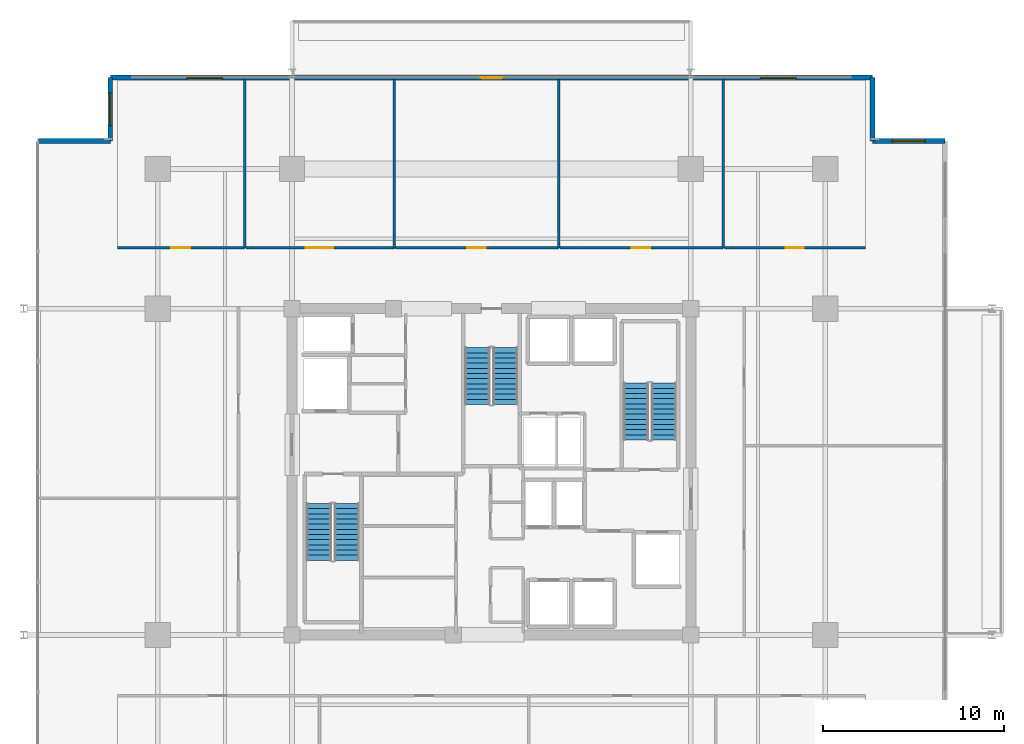
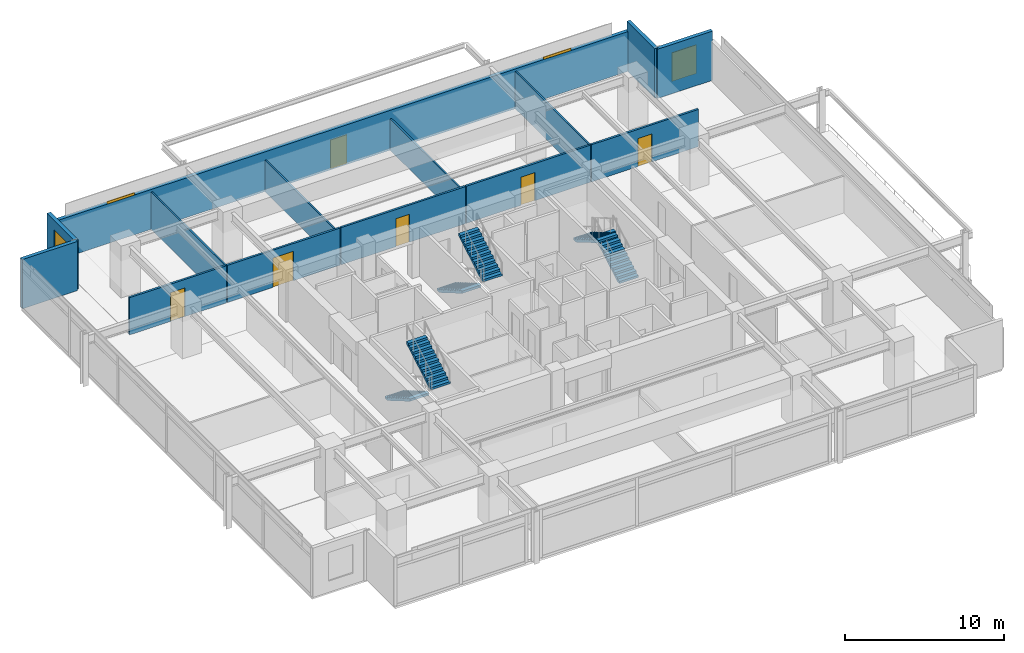
# One storey, part 17 of 21: 14 walls, 6 doors, 6 stair flights, 4 windows, 10 openings, 3 elements without a shape of their own.
"""IFC4 building model written with IfcOpenShell, lengths in metres."""

import ifcopenshell
import ifcopenshell.guid

model = None  # the IFC model being written
_history = None  # IfcOwnerHistory: only IFC2X3 demands one
_inside = {}  # id of a spatial element -> (the spatial element, [elements in it])
_under = {}  # id of a project, library or spatial element -> (it, [spatial elements below it])
_declared = {}  # id of a project -> (the project, [libraries it declares])
_typed = {}  # id of a type object -> (the type object, [elements of that type])
_made_of = {}  # id of a material, layer set ... -> (it, [elements and type objects made of it])


def new_model(schema):
    """Start an empty IFC model of exactly this schema.

    Asked for "IFC4X3", IfcOpenShell would pick the latest addendum, in which some entities
    have other attributes; the version numbers below select the first issue.
    IFC2X3 requires an IfcOwnerHistory on every rooted entity: one is made here for all.
    """
    global model, _history
    if schema == "IFC4X3":
        model = ifcopenshell.file(schema_version=(4, 3, 0, 0))
    else:
        model = ifcopenshell.file(schema=schema)
    _inside.clear()
    _under.clear()
    _declared.clear()
    _typed.clear()
    _made_of.clear()
    _history = None
    if model.schema == "IFC2X3":
        org = make("IfcOrganization", Name="unknown")
        user = make(
            "IfcPersonAndOrganization",
            ThePerson=make("IfcPerson", FamilyName="unknown"),
            TheOrganization=org,
        )
        app = make(
            "IfcApplication",
            ApplicationDeveloper=org,
            Version="unknown",
            ApplicationFullName="unknown",
            ApplicationIdentifier="unknown",
        )
        _history = make(
            "IfcOwnerHistory",
            OwningUser=user,
            OwningApplication=app,
            ChangeAction="ADDED",
            CreationDate=0,
        )
    return model


def make(cls, **values):
    """One entity of the class cls with the attributes given. An attribute that is None is left unset."""
    return model.create_entity(
        cls, **{name: value for name, value in values.items() if value is not None}
    )


def rooted(cls, **values):
    """An entity with a GlobalId (a new one), such as an element, a storey or a relation."""
    return make(cls, GlobalId=ifcopenshell.guid.new(), OwnerHistory=_history, **values)


def si_unit(unit_type, name, prefix=None):
    """IfcSIUnit, for example si_unit("LENGTHUNIT", "METRE", prefix="MILLI")."""
    return make("IfcSIUnit", UnitType=unit_type, Prefix=prefix, Name=name)


def assignment(units):
    """IfcUnitAssignment: the units of a project."""
    return None if units is None else make("IfcUnitAssignment", Units=units)


def point(xyz):
    """IfcCartesianPoint."""
    return None if xyz is None else make("IfcCartesianPoint", Coordinates=xyz)


def direction(xyz):
    """IfcDirection."""
    return None if xyz is None else make("IfcDirection", DirectionRatios=xyz)


def frame(location, z_axis=None, x_axis=None):
    """IfcAxis2Placement3D, a coordinate frame: its origin and axes. An axis left out is left unset."""
    return make(
        "IfcAxis2Placement3D",
        Location=point(location),
        Axis=direction(z_axis),
        RefDirection=direction(x_axis),
    )


def frame_2d(location, x_axis=None):
    """IfcAxis2Placement2D, a coordinate frame in the plane: its origin and x axis."""
    return make(
        "IfcAxis2Placement2D", Location=point(location), RefDirection=direction(x_axis)
    )


def origin():
    """The frame at (0, 0, 0) with its axes left unset."""
    return frame((0.0, 0.0, 0.0))


def place(relative_to, where):
    """IfcLocalPlacement: puts the frame where relative to a parent placement (None: the world)."""
    return make(
        "IfcLocalPlacement", PlacementRelTo=relative_to, RelativePlacement=where
    )


def context(
    kind, dimensions, precision=None, world=None, true_north=None, identifier=None
):
    """IfcGeometricRepresentationContext, for example the 3D "Model" context."""
    return make(
        "IfcGeometricRepresentationContext",
        ContextIdentifier=identifier,
        ContextType=kind,
        CoordinateSpaceDimension=dimensions,
        Precision=precision,
        WorldCoordinateSystem=world,
        TrueNorth=true_north,
    )


def subcontext(parent, identifier, kind, view, scale=None):
    """IfcGeometricRepresentationSubContext, for example "Body" below "Model"."""
    return make(
        "IfcGeometricRepresentationSubContext",
        ContextIdentifier=identifier,
        ContextType=kind,
        ParentContext=parent,
        TargetScale=scale,
        TargetView=view,
    )


def project(units=None, contexts=None):
    """IfcProject with its units and contexts."""
    return rooted(
        "IfcProject",
        Name="project",
        RepresentationContexts=contexts,
        UnitsInContext=assignment(units),
    )


def spatial(cls, under=None, at=None, **own):
    """A site, building, storey or space (cls), placed at a placement, below another one or the project."""
    s = rooted(cls, ObjectPlacement=at, **own)
    if under is not None:
        _under.setdefault(under.id(), (under, []))[1].append(s)
    return s


def polyline(points):
    """IfcPolyline through the points."""
    return make("IfcPolyline", Points=[point(p) for p in points])


def profile(cls, at=None, kind="AREA", **sizes):
    """A parametric profile (cls). Its sizes go by their IFC names, for example OverallWidth=200.0."""
    return make(cls, ProfileType=kind, Position=at, **sizes)


def rectangle(**sizes):
    """IfcRectangleProfileDef."""
    return profile("IfcRectangleProfileDef", **sizes)


def outline(outer, holes=None, kind="AREA"):
    """IfcArbitraryClosedProfileDef: a profile drawn as a closed curve; with holes, ...WithVoids."""
    if holes is None:
        return make("IfcArbitraryClosedProfileDef", ProfileType=kind, OuterCurve=outer)
    return make(
        "IfcArbitraryProfileDefWithVoids",
        ProfileType=kind,
        OuterCurve=outer,
        InnerCurves=holes,
    )


def extrude(swept, where, along, depth):
    """IfcExtrudedAreaSolid: the profile swept, set in the frame where, extruded along a direction by depth."""
    return make(
        "IfcExtrudedAreaSolid",
        SweptArea=swept,
        Position=where,
        ExtrudedDirection=direction(along),
        Depth=depth,
    )


def shape(context_of_items, identifier, shape_type, items):
    """IfcShapeRepresentation: the items that make up one representation, for example the "Body"."""
    return make(
        "IfcShapeRepresentation",
        ContextOfItems=context_of_items,
        RepresentationIdentifier=identifier,
        RepresentationType=shape_type,
        Items=items,
    )


def material(Name=None, Category=None):
    """IfcMaterial."""
    return make("IfcMaterial", Name=Name, Category=Category)


def layer(
    of_material, thickness, ventilated=None, Name=None, Category=None, Priority=None
):
    """IfcMaterialLayer: one layer of a wall or slab, of a material (None: an air gap)."""
    return make(
        "IfcMaterialLayer",
        Material=of_material,
        LayerThickness=thickness,
        IsVentilated=ventilated,
        Name=Name,
        Category=Category,
        Priority=Priority,
    )


def layer_set(layers, Name=None):
    """IfcMaterialLayerSet."""
    return make("IfcMaterialLayerSet", MaterialLayers=layers, LayerSetName=Name)


def made_of(thing, what):
    """Note that an element or type object is made of a material, layer set ...; save() writes the relation."""
    if what is not None:
        _made_of.setdefault(what.id(), (what, []))[1].append(thing)
    return thing


def type_object(cls, material=None, **own):
    """A type object (cls), such as IfcWallType, which elements share."""
    return made_of(rooted(cls, **own), material)


def element(
    cls,
    number,
    at=None,
    inside=None,
    cuts=None,
    type_object=None,
    material=None,
    context=None,
    identifier="Body",
    shape_type=None,
    held_by="IfcProductDefinitionShape",
    body=None,
    shapes=None,
    **own,
):
    """One element of the class cls, such as IfcWall. Its Tag is "e" and its number.

    at: its placement. inside: the storey or other place that contains it. cuts: it is an
    opening in that element (IfcRelVoidsElement). A single representation is given by context,
    identifier, shape_type and body (its items); several are given by shapes. held_by: the class
    of the entity that holds the representations. save() writes the other relations.
    """
    e = rooted(cls, Tag="e%d" % number, ObjectPlacement=at, **own)
    if body is not None:
        shapes = [shape(context, identifier, shape_type, body)]
    if shapes is not None:
        e.Representation = make(held_by, Representations=shapes)
    if inside is not None:
        _inside.setdefault(inside.id(), (inside, []))[1].append(e)
    if cuts is not None:
        rooted(
            "IfcRelVoidsElement", RelatingBuildingElement=cuts, RelatedOpeningElement=e
        )
    if type_object is not None:
        _typed.setdefault(type_object.id(), (type_object, []))[1].append(e)
    return made_of(e, material)


def fill(opening, filler):
    """IfcRelFillsElement: the door or window that sits in an opening."""
    return rooted(
        "IfcRelFillsElement",
        RelatingOpeningElement=opening,
        RelatedBuildingElement=filler,
    )


def aggregate(whole, parts):
    """IfcRelAggregates: a whole, such as a stair, and the parts it consists of."""
    return rooted("IfcRelAggregates", RelatingObject=whole, RelatedObjects=parts)


def save(model, path):
    """Write the relations noted so far, then the file.

    IfcRelAggregates (storeys below a building ...), IfcRelContainedInSpatialStructure (elements
    in a storey), IfcRelDefinesByType, IfcRelAssociatesMaterial and IfcRelDeclares: one each for
    every whole, place, type object, material and project.
    """
    for whole, parts in _under.values():
        aggregate(whole, parts)
    for where, things in _inside.values():
        rooted(
            "IfcRelContainedInSpatialStructure",
            RelatedElements=things,
            RelatingStructure=where,
        )
    for kind, things in _typed.values():
        rooted("IfcRelDefinesByType", RelatedObjects=things, RelatingType=kind)
    for what, things in _made_of.values():
        rooted("IfcRelAssociatesMaterial", RelatedObjects=things, RelatingMaterial=what)
    for by, libraries in _declared.values():
        rooted("IfcRelDeclares", RelatingContext=by, RelatedDefinitions=libraries)
    model.write(path)


model = new_model("IFC4")

# Units and contexts
model_context = context("Model", 3, precision=1e-05, world=origin(), true_north=direction((0.0, 1.0)))
body_context = subcontext(model_context, "Body", "Model", "MODEL_VIEW")
ifc_project = project(units=[si_unit("LENGTHUNIT", "METRE"), si_unit("AREAUNIT", "SQUARE_METRE"), si_unit("VOLUMEUNIT", "CUBIC_METRE"), si_unit("PLANEANGLEUNIT", "RADIAN"), si_unit("MASSUNIT", "GRAM", prefix="KILO")], contexts=[model_context])

# Site, building, storey
site_placement = place(None, origin())
site = spatial("IfcSite", under=ifc_project, at=site_placement, CompositionType="ELEMENT")
building_placement = place(site_placement, origin())
building = spatial("IfcBuilding", under=site, at=building_placement, Name="Kovane Verandah Tower", CompositionType="ELEMENT")
storey_placement = place(building_placement, frame((0.0, 0.0, 209.199951171875)))
storey = spatial("IfcBuildingStorey", under=building, at=storey_placement, Name="L48", CompositionType="ELEMENT", Elevation=209.199951171875)

# Wall, opening, door
ifc_material_1 = material(Name="Fire-Rated Gypsum Stud Partition", Category="gypsum")
ifc_layer_1 = layer(ifc_material_1, 0.14990234375)
ifc_layer_set_1 = layer_set([ifc_layer_1], Name="Fire-Rated Gypsum Stud Partition")
wall_type_1 = type_object("IfcWallType", Name="WL-COR-150", PredefinedType="PARTITIONING", material=ifc_layer_set_1)
wall_1_placement = place(storey_placement, frame((19.382080078125, 39.85009765625, 0.0), z_axis=(0.0, 0.0, 1.0), x_axis=(1.0, 0.0, 0.0)))
wall_1 = element("IfcWall", 1, at=wall_1_placement, inside=storey, type_object=wall_type_1, Name="L48 Executive Office N1 Corridor Partition", PredefinedType="PARTITIONING", context=body_context, shape_type="SweptSolid", body=[
    extrude(rectangle(XDim=7.010009765625, YDim=0.14990234375, at=frame_2d((3.5048828125, 0.0))), origin(), (0.0, 0.0, 1.0), 2.85009765625),
])
opening_1_placement = place(wall_1_placement, frame((2.945068359375, 0.0, 0.0)))
opening_1 = element("IfcOpeningElement", 2, at=opening_1_placement, cuts=wall_1, Name="Opening DR-L48-020", PredefinedType="OPENING", context=body_context, shape_type="SweptSolid", body=[
    extrude(rectangle(XDim=1.050048828125, YDim=2.199951171875, at=frame_2d((0.52490234375, 1.10009765625))), frame((0.0, 0.074951171875, 0.0), z_axis=(0.0, -1.0, 0.0), x_axis=(1.0, 0.0, 0.0)), (0.0, 0.0, 1.0), 0.14990234375),
])
ifc_material_2 = material(Name="FSC Blackbutt Timber Fire-Rated Executive Door", Category="wood")
door_type_1 = type_object("IfcDoorType", Name="DR-EXEC-1050", OperationType="SINGLE_SWING_LEFT", PredefinedType="DOOR", material=ifc_material_2)
door_1_placement = place(opening_1_placement, origin())
door_1 = element("IfcDoor", 3, at=door_1_placement, inside=storey, type_object=door_type_1, Name="L48 Executive Office N1 Entrance Door", OperationType="SINGLE_SWING_RIGHT", OverallHeight=2.199951171875, OverallWidth=1.050048828125, PredefinedType="DOOR", context=body_context, shape_type="SweptSolid", body=[
    extrude(rectangle(XDim=1.050048828125, YDim=2.199951171875, at=frame_2d((0.52490234375, 1.10009765625))), frame((0.0, 0.02490234375, 0.0), z_axis=(0.0, -1.0, 0.0), x_axis=(1.0, 0.0, 0.0)), (0.0, 0.0, 1.0), 0.050048828125),
])
fill(opening_1, door_1)

wall_2_placement = place(storey_placement, frame((26.462158203125, 39.85009765625, 0.0), z_axis=(0.0, 0.0, 1.0), x_axis=(1.0, 0.0, 0.0)))
wall_2 = element("IfcWall", 4, at=wall_2_placement, inside=storey, type_object=wall_type_1, Name="L48 Client Boardroom N2 Corridor Partition", PredefinedType="PARTITIONING", context=body_context, shape_type="SweptSolid", body=[
    extrude(rectangle(XDim=8.17724609375, YDim=0.14990234375, at=frame_2d((4.088623046875, 0.0))), origin(), (0.0, 0.0, 1.0), 2.85009765625),
])
opening_2_placement = place(wall_2_placement, frame((3.303466796875, 0.0, 0.0)))
opening_2 = element("IfcOpeningElement", 5, at=opening_2_placement, cuts=wall_2, Name="Opening DR-L48-021", PredefinedType="OPENING", context=body_context, shape_type="SweptSolid", body=[
    extrude(rectangle(XDim=1.5, YDim=2.25, at=frame_2d((0.75, 1.125))), frame((0.0, 0.074951171875, 0.0), z_axis=(0.0, -1.0, 0.0), x_axis=(1.0, 0.0, 0.0)), (0.0, 0.0, 1.0), 0.14990234375),
])
ifc_material_3 = material(Name="Glazed Timber Fire-Rated Double Door", Category="wood")
door_type_2 = type_object("IfcDoorType", Name="DR-CONF-1500", OperationType="DOUBLE_DOOR_SINGLE_SWING", PredefinedType="DOOR", material=ifc_material_3)
door_2_placement = place(opening_2_placement, origin())
door_2 = element("IfcDoor", 6, at=door_2_placement, inside=storey, type_object=door_type_2, Name="L48 Client Boardroom N2 Entrance Door", OperationType="DOUBLE_DOOR_SINGLE_SWING", OverallHeight=2.25, OverallWidth=1.5, PredefinedType="DOOR", context=body_context, shape_type="SweptSolid", body=[
    extrude(rectangle(XDim=1.5, YDim=2.25, at=frame_2d((0.75, 1.125))), frame((0.0, 0.02490234375, 0.0), z_axis=(0.0, -1.0, 0.0), x_axis=(1.0, 0.0, 0.0)), (0.0, 0.0, 1.0), 0.050048828125),
])
fill(opening_2, door_2)

wall_3_placement = place(storey_placement, frame((34.709228515625, 39.85009765625, 0.0), z_axis=(0.0, 0.0, 1.0), x_axis=(1.0, 0.0, 0.0)))
wall_3 = element("IfcWall", 7, at=wall_3_placement, inside=storey, type_object=wall_type_1, Name="L48 Meeting Room N3 Corridor Partition", PredefinedType="PARTITIONING", context=body_context, shape_type="SweptSolid", body=[
    extrude(rectangle(XDim=9.001953125, YDim=0.14990234375, at=frame_2d((4.5009765625, 0.0))), origin(), (0.0, 0.0, 1.0), 2.85009765625),
])
opening_3_placement = place(wall_3_placement, frame((3.9658203125, 0.0, 0.0)))
opening_3 = element("IfcOpeningElement", 8, at=opening_3_placement, cuts=wall_3, Name="Opening DR-L48-022", PredefinedType="OPENING", context=body_context, shape_type="SweptSolid", body=[
    extrude(rectangle(XDim=1.0, YDim=2.14990234375, at=frame_2d((0.5, 1.074951171875))), frame((0.0, 0.074951171875, 0.0), z_axis=(0.0, -1.0, 0.0), x_axis=(1.0, 0.0, 0.0)), (0.0, 0.0, 1.0), 0.14990234375),
])
ifc_material_4 = material(Name="FSC Spotted-Gum Timber Fire-Rated Office Door", Category="wood")
door_type_3 = type_object("IfcDoorType", Name="DR-OFF-1000", OperationType="SINGLE_SWING_LEFT", PredefinedType="DOOR", material=ifc_material_4)
door_3_placement = place(opening_3_placement, origin())
door_3 = element("IfcDoor", 9, at=door_3_placement, inside=storey, type_object=door_type_3, Name="L48 Meeting Room N3 Entrance Door", OperationType="SINGLE_SWING_RIGHT", OverallHeight=2.14990234375, OverallWidth=1.0, PredefinedType="DOOR", context=body_context, shape_type="SweptSolid", body=[
    extrude(rectangle(XDim=1.0, YDim=2.14990234375, at=frame_2d((0.5, 1.074951171875))), frame((0.0, 0.02490234375, 0.0), z_axis=(0.0, -1.0, 0.0), x_axis=(1.0, 0.0, 0.0)), (0.0, 0.0, 1.0), 0.050048828125),
])
fill(opening_3, door_3)

wall_4_placement = place(storey_placement, frame((43.78125, 39.85009765625, 0.0), z_axis=(0.0, 0.0, 1.0), x_axis=(1.0, 0.0, 0.0)))
wall_4 = element("IfcWall", 10, at=wall_4_placement, inside=storey, type_object=wall_type_1, Name="L48 Focus Studio N4 Corridor Partition", PredefinedType="PARTITIONING", context=body_context, shape_type="SweptSolid", body=[
    extrude(rectangle(XDim=9.001953125, YDim=0.14990234375, at=frame_2d((4.5009765625, 0.0))), origin(), (0.0, 0.0, 1.0), 2.85009765625),
])
opening_4_placement = place(wall_4_placement, frame((3.9658203125, 0.0, 0.0)))
opening_4 = element("IfcOpeningElement", 11, at=opening_4_placement, cuts=wall_4, Name="Opening DR-L48-023", PredefinedType="OPENING", context=body_context, shape_type="SweptSolid", body=[
    extrude(rectangle(XDim=1.0, YDim=2.14990234375, at=frame_2d((0.5, 1.074951171875))), frame((0.0, 0.074951171875, 0.0), z_axis=(0.0, -1.0, 0.0), x_axis=(1.0, 0.0, 0.0)), (0.0, 0.0, 1.0), 0.14990234375),
])
door_4_placement = place(opening_4_placement, origin())
door_4 = element("IfcDoor", 12, at=door_4_placement, inside=storey, type_object=door_type_3, Name="L48 Focus Studio N4 Entrance Door", OperationType="SINGLE_SWING_LEFT", OverallHeight=2.14990234375, OverallWidth=1.0, PredefinedType="DOOR", context=body_context, shape_type="SweptSolid", body=[
    extrude(rectangle(XDim=1.0, YDim=2.14990234375, at=frame_2d((0.5, 1.074951171875))), frame((0.0, 0.02490234375, 0.0), z_axis=(0.0, -1.0, 0.0), x_axis=(1.0, 0.0, 0.0)), (0.0, 0.0, 1.0), 0.050048828125),
])
fill(opening_4, door_4)

wall_5_placement = place(storey_placement, frame((52.85302734375, 39.85009765625, 0.0), z_axis=(0.0, 0.0, 1.0), x_axis=(1.0, 0.0, 0.0)))
wall_5 = element("IfcWall", 13, at=wall_5_placement, inside=storey, type_object=wall_type_1, Name="L48 Breakout Pantry N5 Corridor Partition", PredefinedType="PARTITIONING", context=body_context, shape_type="SweptSolid", body=[
    extrude(rectangle(XDim=7.764892578125, YDim=0.14990234375, at=frame_2d((3.88232421875, 0.0))), origin(), (0.0, 0.0, 1.0), 2.85009765625),
])
opening_5_placement = place(wall_5_placement, frame((3.38232421875, 0.0, 0.0)))
opening_5 = element("IfcOpeningElement", 14, at=opening_5_placement, cuts=wall_5, Name="Opening DR-L48-024", PredefinedType="OPENING", context=body_context, shape_type="SweptSolid", body=[
    extrude(rectangle(XDim=1.0, YDim=2.14990234375, at=frame_2d((0.5, 1.074951171875))), frame((0.0, 0.074951171875, 0.0), z_axis=(0.0, -1.0, 0.0), x_axis=(1.0, 0.0, 0.0)), (0.0, 0.0, 1.0), 0.14990234375),
])
door_5_placement = place(opening_5_placement, origin())
door_5 = element("IfcDoor", 15, at=door_5_placement, inside=storey, type_object=door_type_3, Name="L48 Breakout Pantry N5 Entrance Door", OperationType="SINGLE_SWING_RIGHT", OverallHeight=2.14990234375, OverallWidth=1.0, PredefinedType="DOOR", context=body_context, shape_type="SweptSolid", body=[
    extrude(rectangle(XDim=1.0, YDim=2.14990234375, at=frame_2d((0.5, 1.074951171875))), frame((0.0, 0.02490234375, 0.0), z_axis=(0.0, -1.0, 0.0), x_axis=(1.0, 0.0, 0.0)), (0.0, 0.0, 1.0), 0.050048828125),
])
fill(opening_5, door_5)

# Walls
ifc_material_5 = material(Name="Acoustic Fire-Rated Gypsum Partition", Category="gypsum")
ifc_layer_2 = layer(ifc_material_5, 0.1201171875)
ifc_layer_set_2 = layer_set([ifc_layer_2], Name="Acoustic Fire-Rated Gypsum Partition")
wall_type_2 = type_object("IfcWallType", Name="WL-PART-120", PredefinedType="PARTITIONING", material=ifc_layer_set_2)
wall_6_placement = place(storey_placement, frame((26.39208984375, 39.85009765625, 0.0), z_axis=(0.0, 0.0, 1.0), x_axis=(0.0, 1.0, 0.0)))
element("IfcWall", 16, at=wall_6_placement, inside=storey, type_object=wall_type_2, Name="L48 Executive Office N1 Dividing Partition", PredefinedType="PARTITIONING", context=body_context, shape_type="SweptSolid", body=[
    extrude(rectangle(XDim=9.29150390625, YDim=0.1201171875, at=frame_2d((4.645751953125, 0.0))), origin(), (0.0, 0.0, 1.0), 2.85009765625),
])
for number, where, z_axis, x_axis, name in (
    (17, (34.639404296875, 39.85009765625, 0.0), (0.0, 0.0, 1.0), (0.0, 1.0, 0.0), "L48 Client Boardroom N2 Dividing Partition"),
    (18, (43.711181640625, 39.85009765625, 0.0), (0.0, 0.0, 1.0), (0.0, 1.0, 0.0), "L48 Meeting Room N3 Dividing Partition"),
):
    element("IfcWall", number, at=place(storey_placement, frame(where, z_axis=z_axis, x_axis=x_axis)), inside=storey, type_object=wall_type_2, Name=name, PredefinedType="PARTITIONING", context=body_context, shape_type="SweptSolid", body=[
        extrude(rectangle(XDim=9.29150390625, YDim=0.1201171875, at=frame_2d((4.645751953125, 0.0))), origin(), (0.0, 0.0, 1.0), 2.405029296875),
    ])
wall_7_placement = place(storey_placement, frame((52.783203125, 39.85009765625, 0.0), z_axis=(0.0, 0.0, 1.0), x_axis=(0.0, 1.0, 0.0)))
element("IfcWall", 19, at=wall_7_placement, inside=storey, type_object=wall_type_2, Name="L48 Focus Studio N4 Dividing Partition", PredefinedType="PARTITIONING", context=body_context, shape_type="SweptSolid", body=[
    extrude(rectangle(XDim=9.29150390625, YDim=0.1201171875, at=frame_2d((4.645751953125, 0.0))), origin(), (0.0, 0.0, 1.0), 2.85009765625),
])

# Wall, openings, door, windows
ifc_material_6 = material(Name="Concrete C45/55 Insulated Spandrel Wall", Category="concrete")
ifc_layer_3 = layer(ifc_material_6, 0.260009765625)
ifc_layer_set_3 = layer_set([ifc_layer_3], Name="Concrete C45/55 Insulated Spandrel Wall")
wall_type_3 = type_object("IfcWallType", Name="WL-SPANDREL-260", PredefinedType="PARAPET", material=ifc_layer_set_3)
wall_8_placement = place(storey_placement, frame((61.017822265625, 49.24169921875, 0.0), z_axis=(0.0, 0.0, 1.0), x_axis=(-1.0, 0.0, 0.0)))
wall_8 = element("IfcWall", 20, at=wall_8_placement, inside=storey, type_object=wall_type_3, Name="L48 N Verandah Access Facade Wall", PredefinedType="PARAPET", context=body_context, shape_type="SweptSolid", body=[
    extrude(rectangle(XDim=42.03564453125, YDim=0.260009765625, at=frame_2d((21.017822265625, 0.0))), origin(), (0.0, 0.0, 1.0), 3.047119140625),
])
opening_6_placement = place(wall_8_placement, frame((4.199951171875, 0.0, 0.85009765625)))
opening_6 = element("IfcOpeningElement", 21, at=opening_6_placement, cuts=wall_8, Name="Opening W-04", PredefinedType="OPENING", context=body_context, shape_type="SweptSolid", body=[
    extrude(rectangle(XDim=2.0, YDim=2.300048828125, at=frame_2d((1.0, 1.14990234375))), frame((0.0, 0.1298828125, 0.0), z_axis=(0.0, -1.0, 0.0), x_axis=(1.0, 0.0, 0.0)), (0.0, 0.0, 1.0), 0.260009765625),
])
opening_7_placement = place(wall_8_placement, frame((20.41796875, 0.0, 0.0)))
opening_7 = element("IfcOpeningElement", 22, at=opening_7_placement, cuts=wall_8, Name="Opening DR-L48-002", PredefinedType="OPENING", context=body_context, shape_type="SweptSolid", body=[
    extrude(rectangle(XDim=1.199951171875, YDim=2.199951171875, at=frame_2d((0.60009765625, 1.10009765625))), frame((0.0, 0.1298828125, 0.0), z_axis=(0.0, -1.0, 0.0), x_axis=(1.0, 0.0, 0.0)), (0.0, 0.0, 1.0), 0.260009765625),
])
opening_8_placement = place(wall_8_placement, frame((35.835693359375, 0.0, 0.85009765625)))
opening_8 = element("IfcOpeningElement", 23, at=opening_8_placement, cuts=wall_8, Name="Opening W-04", PredefinedType="OPENING", context=body_context, shape_type="SweptSolid", body=[
    extrude(rectangle(XDim=2.0, YDim=2.300048828125, at=frame_2d((1.0, 1.14990234375))), frame((0.0, 0.1298828125, 0.0), z_axis=(0.0, -1.0, 0.0), x_axis=(1.0, 0.0, 0.0)), (0.0, 0.0, 1.0), 0.260009765625),
])
ifc_material_7 = material(Name="Cyclone-Rated Glazed Balcony Leaf Door", Category="aluminium")
door_type_4 = type_object("IfcDoorType", Name="DR-BAL-1200x2200", OperationType="SINGLE_SWING_LEFT", PredefinedType="DOOR", material=ifc_material_7)
door_6_placement = place(opening_7_placement, origin())
door_6 = element("IfcDoor", 24, at=door_6_placement, inside=storey, type_object=door_type_4, Name="L48 N Planted Balcony Access Door", OperationType="SINGLE_SWING_LEFT", OverallHeight=2.199951171875, OverallWidth=1.199951171875, PredefinedType="DOOR", context=body_context, shape_type="SweptSolid", body=[
    extrude(rectangle(XDim=1.199951171875, YDim=2.199951171875, at=frame_2d((0.60009765625, 1.10009765625))), frame((0.0, 0.02490234375, 0.0), z_axis=(0.0, -1.0, 0.0), x_axis=(1.0, 0.0, 0.0)), (0.0, 0.0, 1.0), 0.050048828125),
])
fill(opening_7, door_6)
ifc_material_8 = material(Name="Clear Low-E Laminated Double Glazing in Anodised Frame", Category="glass")
window_type_1 = type_object("IfcWindowType", Name="WN-FIXED-2000x2300", PartitioningType="SINGLE_PANEL", PredefinedType="WINDOW", material=ifc_material_8)
window_1_placement = place(opening_6_placement, origin())
window_1 = element("IfcWindow", 25, at=window_1_placement, inside=storey, type_object=window_type_1, Name="L48 N Verandah View Window 1", OverallHeight=2.300048828125, OverallWidth=2.0, PartitioningType="SINGLE_PANEL", PredefinedType="WINDOW", context=body_context, shape_type="SweptSolid", body=[
    extrude(rectangle(XDim=2.0, YDim=2.300048828125, at=frame_2d((1.0, 1.14990234375))), frame((0.0, 0.030029296875, 0.0), z_axis=(0.0, -1.0, 0.0), x_axis=(1.0, 0.0, 0.0)), (0.0, 0.0, 1.0), 0.06005859375),
])
fill(opening_6, window_1)
window_2_placement = place(opening_8_placement, origin())
window_2 = element("IfcWindow", 26, at=window_2_placement, inside=storey, type_object=window_type_1, Name="L48 N Verandah View Window 2", OverallHeight=2.300048828125, OverallWidth=2.0, PartitioningType="SINGLE_PANEL", PredefinedType="WINDOW", context=body_context, shape_type="SweptSolid", body=[
    extrude(rectangle(XDim=2.0, YDim=2.300048828125, at=frame_2d((1.0, 1.14990234375))), frame((0.0, 0.030029296875, 0.0), z_axis=(0.0, -1.0, 0.0), x_axis=(1.0, 0.0, 0.0)), (0.0, 0.0, 1.0), 0.06005859375),
])
fill(opening_8, window_2)

# Wall, opening, window
wall_9_placement = place(storey_placement, frame((65.017822265625, 45.74169921875, 0.0), z_axis=(0.0, 0.0, 1.0), x_axis=(-1.0, 0.0, 0.0)))
wall_9 = element("IfcWall", 27, at=wall_9_placement, inside=storey, type_object=wall_type_3, Name="L48 NE Notch Cheek Wall 1", PredefinedType="PARAPET", context=body_context, shape_type="SweptSolid", body=[
    extrude(rectangle(XDim=4.0, YDim=0.260009765625, at=frame_2d((2.0, 0.0))), origin(), (0.0, 0.0, 1.0), 3.775146484375),
])
opening_9_placement = place(wall_9_placement, frame((1.10009765625, 0.0, 0.85009765625)))
opening_9 = element("IfcOpeningElement", 28, at=opening_9_placement, cuts=wall_9, Name="Opening W-03", PredefinedType="OPENING", context=body_context, shape_type="SweptSolid", body=[
    extrude(rectangle(XDim=1.800048828125, YDim=2.199951171875, at=frame_2d((0.89990234375, 1.10009765625))), frame((0.0, 0.1298828125, 0.0), z_axis=(0.0, -1.0, 0.0), x_axis=(1.0, 0.0, 0.0)), (0.0, 0.0, 1.0), 0.260009765625),
])
window_type_2 = type_object("IfcWindowType", Name="WN-NOTCH-1800x2200", PartitioningType="SINGLE_PANEL", PredefinedType="WINDOW", material=ifc_material_8)
window_3_placement = place(opening_9_placement, origin())
window_3 = element("IfcWindow", 29, at=window_3_placement, inside=storey, type_object=window_type_2, Name="L48 NE Re-Entrant Corner Operable Window", OverallHeight=2.199951171875, OverallWidth=1.800048828125, PartitioningType="SINGLE_PANEL", PredefinedType="WINDOW", context=body_context, shape_type="SweptSolid", body=[
    extrude(rectangle(XDim=1.800048828125, YDim=2.199951171875, at=frame_2d((0.89990234375, 1.10009765625))), frame((0.0, 0.030029296875, 0.0), z_axis=(0.0, -1.0, 0.0), x_axis=(1.0, 0.0, 0.0)), (0.0, 0.0, 1.0), 0.06005859375),
])
fill(opening_9, window_3)

# Wall
wall_10_placement = place(storey_placement, frame((61.017822265625, 45.74169921875, 0.0), z_axis=(0.0, 0.0, 1.0), x_axis=(0.0, 1.0, 0.0)))
element("IfcWall", 30, at=wall_10_placement, inside=storey, type_object=wall_type_3, Name="L48 NE Notch Cheek Wall 2", PredefinedType="PARAPET", context=body_context, shape_type="SweptSolid", body=[
    extrude(rectangle(XDim=3.5, YDim=0.260009765625, at=frame_2d((1.75, 0.0))), origin(), (0.0, 0.0, 1.0), 3.775146484375),
])

# Wall, opening, window
wall_11_placement = place(storey_placement, frame((18.982177734375, 49.24169921875, 0.0), z_axis=(0.0, 0.0, 1.0), x_axis=(0.0, -1.0, 0.0)))
wall_11 = element("IfcWall", 31, at=wall_11_placement, inside=storey, type_object=wall_type_3, Name="L48 NW Notch Cheek Wall 1", PredefinedType="PARAPET", context=body_context, shape_type="SweptSolid", body=[
    extrude(rectangle(XDim=3.5, YDim=0.260009765625, at=frame_2d((1.75, 0.0))), origin(), (0.0, 0.0, 1.0), 3.775146484375),
])
opening_10_placement = place(wall_11_placement, frame((0.85009765625, 0.0, 0.85009765625)))
opening_10 = element("IfcOpeningElement", 32, at=opening_10_placement, cuts=wall_11, Name="Opening W-03", PredefinedType="OPENING", context=body_context, shape_type="SweptSolid", body=[
    extrude(rectangle(XDim=1.800048828125, YDim=2.199951171875, at=frame_2d((0.89990234375, 1.10009765625))), frame((0.0, 0.1298828125, 0.0), z_axis=(0.0, -1.0, 0.0), x_axis=(1.0, 0.0, 0.0)), (0.0, 0.0, 1.0), 0.260009765625),
])
window_4_placement = place(opening_10_placement, origin())
window_4 = element("IfcWindow", 33, at=window_4_placement, inside=storey, type_object=window_type_2, Name="L48 NW Re-Entrant Corner Operable Window", OverallHeight=2.199951171875, OverallWidth=1.800048828125, PartitioningType="SINGLE_PANEL", PredefinedType="WINDOW", context=body_context, shape_type="SweptSolid", body=[
    extrude(rectangle(XDim=1.800048828125, YDim=2.199951171875, at=frame_2d((0.89990234375, 1.10009765625))), frame((0.0, 0.030029296875, 0.0), z_axis=(0.0, -1.0, 0.0), x_axis=(1.0, 0.0, 0.0)), (0.0, 0.0, 1.0), 0.06005859375),
])
fill(opening_10, window_4)

# Wall
wall_12_placement = place(storey_placement, frame((18.982177734375, 45.74169921875, 0.0), z_axis=(0.0, 0.0, 1.0), x_axis=(-1.0, 0.0, 0.0)))
element("IfcWall", 34, at=wall_12_placement, inside=storey, type_object=wall_type_3, Name="L48 NW Notch Cheek Wall 2", PredefinedType="PARAPET", context=body_context, shape_type="SweptSolid", body=[
    extrude(rectangle(XDim=4.0, YDim=0.260009765625, at=frame_2d((2.0, 0.0))), origin(), (0.0, 0.0, 1.0), 3.775146484375),
])

# Stair, stair flights
ifc_material_9 = material(Name="Concrete C45/55", Category="concrete")
stair_type = type_object("IfcStairType", Name="ST-CORE-1380", PredefinedType="HALF_TURN_STAIR", material=ifc_material_9)
stair_1_placement = place(storey_placement, origin())
stair_1 = element("IfcStair", 35, at=stair_1_placement, inside=storey, type_object=stair_type, Name="L48 Exit Stair ST-01", PredefinedType="HALF_TURN_STAIR")
stair_flight_type = type_object("IfcStairFlightType", Name="STF-CORE-1380", PredefinedType="STRAIGHT", material=ifc_material_9)
stair_flight_1_placement = place(storey_placement, frame((30.489990234375, 25.75, 0.0), z_axis=(0.0, 0.0, 1.0), x_axis=(0.0, -1.0, 0.0)))
stair_flight_1 = element("IfcStairFlight", 36, at=stair_flight_1_placement, type_object=stair_flight_type, Name="ST-01 flight 1", NumberOfRisers=12, NumberOfTreads=11, PredefinedType="STRAIGHT", RiserHeight=0.166666667, TreadLength=0.285, context=body_context, shape_type="SweptSolid", body=[
    extrude(outline(polyline([(0.0, 0.0), (0.0, 0.166748046875), (0.284912109375, 0.166748046875), (0.284912109375, 0.333251953125), (0.570068359375, 0.333251953125), (0.570068359375, 0.5), (0.85498046875, 0.5), (0.85498046875, 0.666748046875), (1.139892578125, 0.666748046875), (1.139892578125, 0.833251953125), (1.425048828125, 0.833251953125), (1.425048828125, 1.0), (1.7099609375, 1.0), (1.7099609375, 1.166748046875), (1.9951171875, 1.166748046875), (1.9951171875, 1.333251953125), (2.280029296875, 1.333251953125), (2.280029296875, 1.5), (2.56494140625, 1.5), (2.56494140625, 1.666748046875), (2.85009765625, 1.666748046875), (2.85009765625, 1.833251953125), (3.135009765625, 1.833251953125), (3.135009765625, 2.0), (3.135009765625, 1.65966796875), (0.296875, 0.0), (0.0, 0.0)])), frame((0.0, 0.68994140625, 0.0), z_axis=(0.0, -1.0, 0.0), x_axis=(1.0, 0.0, 0.0)), (0.0, 0.0, 1.0), 1.3798828125),
])
stair_flight_2_placement = place(storey_placement, frame((32.030029296875, 22.614990234375, 2.0), z_axis=(0.0, 0.0, 1.0), x_axis=(0.0, 1.0, 0.0)))
stair_flight_2 = element("IfcStairFlight", 37, at=stair_flight_2_placement, type_object=stair_flight_type, Name="ST-01 flight 2", NumberOfRisers=12, NumberOfTreads=11, PredefinedType="STRAIGHT", RiserHeight=0.166666667, TreadLength=0.285, context=body_context, shape_type="SweptSolid", body=[
    extrude(outline(polyline([(0.0, 0.0), (0.0, 0.166748046875), (0.284912109375, 0.166748046875), (0.284912109375, 0.333251953125), (0.570068359375, 0.333251953125), (0.570068359375, 0.5), (0.85498046875, 0.5), (0.85498046875, 0.666748046875), (1.139892578125, 0.666748046875), (1.139892578125, 0.833251953125), (1.425048828125, 0.833251953125), (1.425048828125, 1.0), (1.7099609375, 1.0), (1.7099609375, 1.166748046875), (1.9951171875, 1.166748046875), (1.9951171875, 1.333251953125), (2.280029296875, 1.333251953125), (2.280029296875, 1.5), (2.56494140625, 1.5), (2.56494140625, 1.666748046875), (2.85009765625, 1.666748046875), (2.85009765625, 1.833251953125), (3.135009765625, 1.833251953125), (3.135009765625, 2.0), (3.135009765625, 1.65966796875), (0.296875, 0.0), (0.0, 0.0)])), frame((0.0, 0.68994140625, 0.0), z_axis=(0.0, -1.0, 0.0), x_axis=(1.0, 0.0, 0.0)), (0.0, 0.0, 1.0), 1.3798828125),
])
aggregate(stair_1, [stair_flight_1, stair_flight_2])

stair_2_placement = place(storey_placement, origin())
stair_2 = element("IfcStair", 38, at=stair_2_placement, inside=storey, type_object=stair_type, Name="L48 Exit Stair ST-02", PredefinedType="HALF_TURN_STAIR")
stair_flight_3_placement = place(storey_placement, frame((49.510009765625, 29.25, 0.0), z_axis=(0.0, 0.0, 1.0), x_axis=(0.0, 1.0, 0.0)))
stair_flight_3 = element("IfcStairFlight", 39, at=stair_flight_3_placement, type_object=stair_flight_type, Name="ST-02 flight 1", NumberOfRisers=12, NumberOfTreads=11, PredefinedType="STRAIGHT", RiserHeight=0.166666667, TreadLength=0.285, context=body_context, shape_type="SweptSolid", body=[
    extrude(outline(polyline([(0.0, 0.0), (0.0, 0.166748046875), (0.284912109375, 0.166748046875), (0.284912109375, 0.333251953125), (0.570068359375, 0.333251953125), (0.570068359375, 0.5), (0.85498046875, 0.5), (0.85498046875, 0.666748046875), (1.139892578125, 0.666748046875), (1.139892578125, 0.833251953125), (1.425048828125, 0.833251953125), (1.425048828125, 1.0), (1.7099609375, 1.0), (1.7099609375, 1.166748046875), (1.9951171875, 1.166748046875), (1.9951171875, 1.333251953125), (2.280029296875, 1.333251953125), (2.280029296875, 1.5), (2.56494140625, 1.5), (2.56494140625, 1.666748046875), (2.85009765625, 1.666748046875), (2.85009765625, 1.833251953125), (3.135009765625, 1.833251953125), (3.135009765625, 2.0), (3.135009765625, 1.65966796875), (0.296875, 0.0), (0.0, 0.0)])), frame((0.0, 0.68994140625, 0.0), z_axis=(0.0, -1.0, 0.0), x_axis=(1.0, 0.0, 0.0)), (0.0, 0.0, 1.0), 1.3798828125),
])
stair_flight_4_placement = place(storey_placement, frame((47.969970703125, 32.385009765625, 2.0), z_axis=(0.0, 0.0, 1.0), x_axis=(0.0, -1.0, 0.0)))
stair_flight_4 = element("IfcStairFlight", 40, at=stair_flight_4_placement, type_object=stair_flight_type, Name="ST-02 flight 2", NumberOfRisers=12, NumberOfTreads=11, PredefinedType="STRAIGHT", RiserHeight=0.166666667, TreadLength=0.285, context=body_context, shape_type="SweptSolid", body=[
    extrude(outline(polyline([(0.0, 0.0), (0.0, 0.166748046875), (0.284912109375, 0.166748046875), (0.284912109375, 0.333251953125), (0.570068359375, 0.333251953125), (0.570068359375, 0.5), (0.85498046875, 0.5), (0.85498046875, 0.666748046875), (1.139892578125, 0.666748046875), (1.139892578125, 0.833251953125), (1.425048828125, 0.833251953125), (1.425048828125, 1.0), (1.7099609375, 1.0), (1.7099609375, 1.166748046875), (1.9951171875, 1.166748046875), (1.9951171875, 1.333251953125), (2.280029296875, 1.333251953125), (2.280029296875, 1.5), (2.56494140625, 1.5), (2.56494140625, 1.666748046875), (2.85009765625, 1.666748046875), (2.85009765625, 1.833251953125), (3.135009765625, 1.833251953125), (3.135009765625, 2.0), (3.135009765625, 1.65966796875), (0.296875, 0.0), (0.0, 0.0)])), frame((0.0, 0.68994140625, 0.0), z_axis=(0.0, -1.0, 0.0), x_axis=(1.0, 0.0, 0.0)), (0.0, 0.0, 1.0), 1.3798828125),
])
aggregate(stair_2, [stair_flight_3, stair_flight_4])

stair_3_placement = place(storey_placement, origin())
stair_3 = element("IfcStair", 41, at=stair_3_placement, inside=storey, type_object=stair_type, Name="L48 Exit Stair ST-03", PredefinedType="HALF_TURN_STAIR")
stair_flight_5_placement = place(storey_placement, frame((39.22998046875, 34.35009765625, 0.0), z_axis=(0.0, 0.0, 1.0), x_axis=(0.0, -1.0, 0.0)))
stair_flight_5 = element("IfcStairFlight", 42, at=stair_flight_5_placement, type_object=stair_flight_type, Name="ST-03 flight 1", NumberOfRisers=12, NumberOfTreads=11, PredefinedType="STRAIGHT", RiserHeight=0.166666667, TreadLength=0.285, context=body_context, shape_type="SweptSolid", body=[
    extrude(outline(polyline([(0.0, 0.0), (0.0, 0.166748046875), (0.284912109375, 0.166748046875), (0.284912109375, 0.333251953125), (0.570068359375, 0.333251953125), (0.570068359375, 0.5), (0.85498046875, 0.5), (0.85498046875, 0.666748046875), (1.139892578125, 0.666748046875), (1.139892578125, 0.833251953125), (1.425048828125, 0.833251953125), (1.425048828125, 1.0), (1.7099609375, 1.0), (1.7099609375, 1.166748046875), (1.9951171875, 1.166748046875), (1.9951171875, 1.333251953125), (2.280029296875, 1.333251953125), (2.280029296875, 1.5), (2.56494140625, 1.5), (2.56494140625, 1.666748046875), (2.85009765625, 1.666748046875), (2.85009765625, 1.833251953125), (3.135009765625, 1.833251953125), (3.135009765625, 2.0), (3.135009765625, 1.65966796875), (0.296875, 0.0), (0.0, 0.0)])), frame((0.0, 0.68994140625, 0.0), z_axis=(0.0, -1.0, 0.0), x_axis=(1.0, 0.0, 0.0)), (0.0, 0.0, 1.0), 1.3798828125),
])
stair_flight_6_placement = place(storey_placement, frame((40.77001953125, 31.215087890625, 2.0), z_axis=(0.0, 0.0, 1.0), x_axis=(0.0, 1.0, 0.0)))
stair_flight_6 = element("IfcStairFlight", 43, at=stair_flight_6_placement, type_object=stair_flight_type, Name="ST-03 flight 2", NumberOfRisers=12, NumberOfTreads=11, PredefinedType="STRAIGHT", RiserHeight=0.166666667, TreadLength=0.285, context=body_context, shape_type="SweptSolid", body=[
    extrude(outline(polyline([(0.0, 0.0), (0.0, 0.166748046875), (0.284912109375, 0.166748046875), (0.284912109375, 0.333251953125), (0.570068359375, 0.333251953125), (0.570068359375, 0.5), (0.85498046875, 0.5), (0.85498046875, 0.666748046875), (1.139892578125, 0.666748046875), (1.139892578125, 0.833251953125), (1.425048828125, 0.833251953125), (1.425048828125, 1.0), (1.7099609375, 1.0), (1.7099609375, 1.166748046875), (1.9951171875, 1.166748046875), (1.9951171875, 1.333251953125), (2.280029296875, 1.333251953125), (2.280029296875, 1.5), (2.56494140625, 1.5), (2.56494140625, 1.666748046875), (2.85009765625, 1.666748046875), (2.85009765625, 1.833251953125), (3.135009765625, 1.833251953125), (3.135009765625, 2.0), (3.135009765625, 1.65966796875), (0.296875, 0.0), (0.0, 0.0)])), frame((0.0, 0.68994140625, 0.0), z_axis=(0.0, -1.0, 0.0), x_axis=(1.0, 0.0, 0.0)), (0.0, 0.0, 1.0), 1.3798828125),
])
aggregate(stair_3, [stair_flight_5, stair_flight_6])

save(model, "model.ifc")
